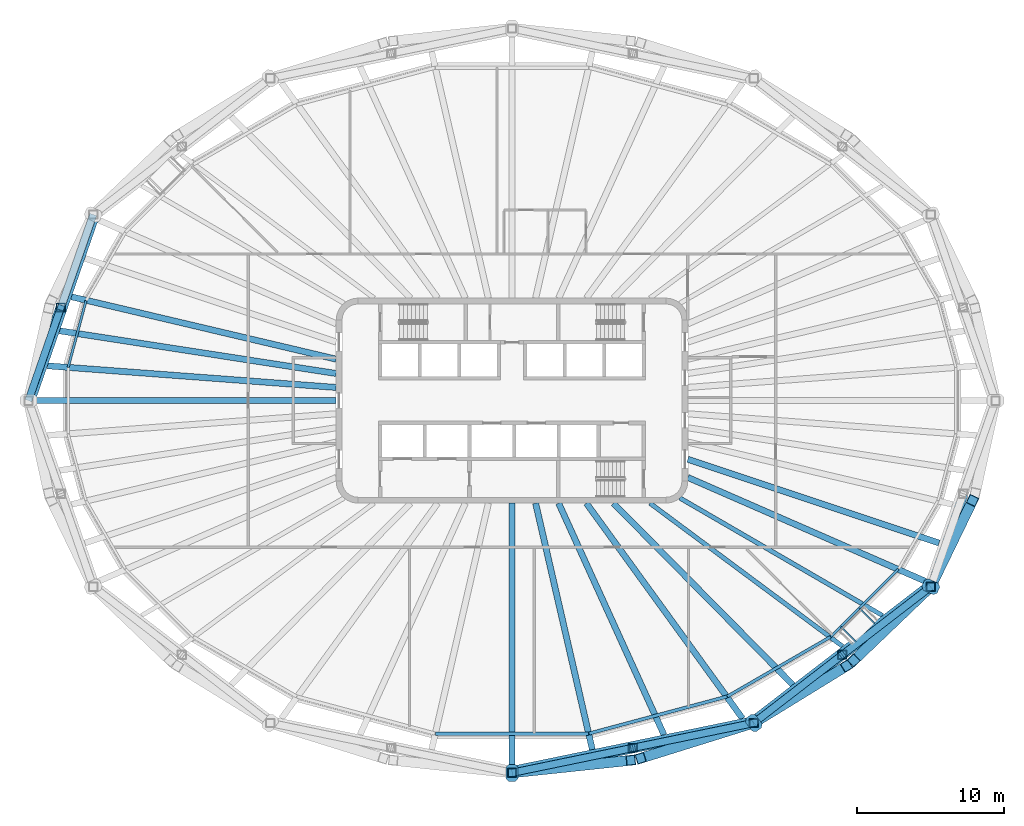
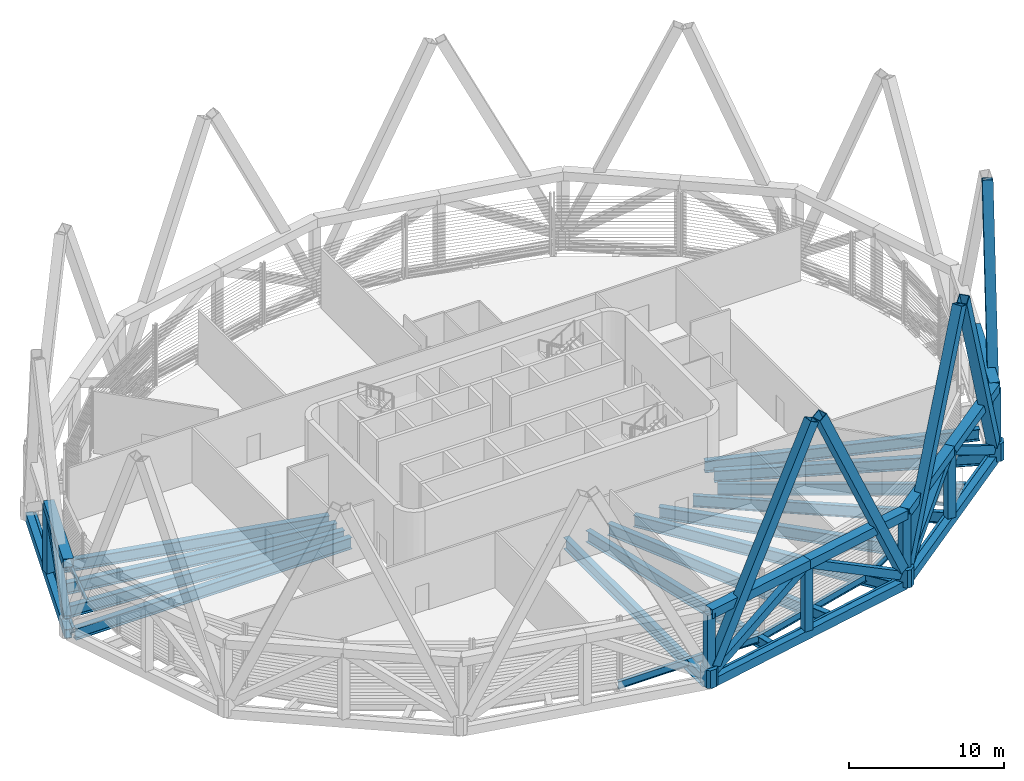
# One storey, part 2 of 17: 26 beams, 25 members.
"""IFC4 building model written with IfcOpenShell, lengths in metres."""

from ifc_helpers import new_model, si_unit, direction, frame, origin, origin_2d, place, context, subcontext, project, spatial, polyline, hollow_rectangle, i_section, outline, extrude, material, material_profile, profile_set, type_object, element, save


model = new_model("IFC4")

# Units and contexts
model_context = context("Model", 3, precision=1e-05, world=origin(), true_north=direction((0.0, 1.0)))
body_context = subcontext(model_context, "Body", "Model", "MODEL_VIEW")
ifc_project = project(units=[si_unit("LENGTHUNIT", "METRE"), si_unit("AREAUNIT", "SQUARE_METRE"), si_unit("VOLUMEUNIT", "CUBIC_METRE"), si_unit("PLANEANGLEUNIT", "RADIAN"), si_unit("MASSUNIT", "GRAM", prefix="KILO")], contexts=[model_context])

# Site, building, storey
site_placement = place(None, origin())
site = spatial("IfcSite", under=ifc_project, at=site_placement, CompositionType="ELEMENT")
building_placement = place(site_placement, origin())
building = spatial("IfcBuilding", under=site, at=building_placement, Name="Sahrelin Media Tower", CompositionType="ELEMENT")
storey_placement = place(building_placement, frame((0.0, 0.0, 249.60009765625)))
storey = spatial("IfcBuildingStorey", under=building, at=storey_placement, Name="L54", CompositionType="ELEMENT", Elevation=249.60009765625)

# Members
ifc_material_1 = material(Name="Steel S460", Category="steel")
ifc_material_profile_1 = material_profile(ifc_material_1, hollow_rectangle(XDim=0.699951171875, YDim=0.699951171875, WallThickness=0.044921875, at=origin_2d()), Name="Belt truss chord BC")
ifc_profile_set_1 = profile_set([ifc_material_profile_1], Name="Steel S460")
member_type_1 = type_object("IfcMemberType", Name="Belt truss chord BC", PredefinedType="CHORD", material=ifc_profile_set_1)
member_1_placement = place(storey_placement, frame((-30.789306640625, 6.35009765625, 4.89990234375), z_axis=(-0.328781145791, -0.944406140478, 0.0), x_axis=(0.944406140478, -0.328781145791, 0.0)))
element("IfcMember", 1, at=member_1_placement, inside=storey, type_object=member_type_1, Name="Belt truss member BT12-05-T2", PredefinedType="CHORD", context=body_context, shape_type="SweptSolid", body=[
    extrude(hollow_rectangle(XDim=0.699951171875, YDim=0.699951171875, WallThickness=0.044921875, at=origin_2d()), origin(), (0.0, 0.0, 1.0), 6.723876953125),
])
for number, where, z_axis, x_axis, name in (
    (2, (0.0, -25.39990234375, 4.89990234375), (0.979389305257, 0.201981654484, 0.0), (-0.201981654484, 0.979389305257, 0.0), "Belt truss member BT12-09-T1"),
    (3, (8.25, -23.698486328125, 4.89990234375), (0.979389305257, 0.201981654484, 0.0), (-0.201981654484, 0.979389305257, 0.0), "Belt truss member BT12-09-T2"),
):
    element("IfcMember", number, at=place(storey_placement, frame(where, z_axis=z_axis, x_axis=x_axis)), inside=storey, type_object=member_type_1, Name=name, PredefinedType="CHORD", context=body_context, shape_type="SweptSolid", body=[
        extrude(hollow_rectangle(XDim=0.699951171875, YDim=0.699951171875, WallThickness=0.044921875, at=origin_2d()), origin(), (0.0, 0.0, 1.0), 8.423583984375),
    ])
for number, where, z_axis, x_axis, name in (
    (4, (16.5, -21.9970703125, 4.89990234375), (0.792429838397, 0.609963073651, 0.0), (-0.609963073651, 0.792429838397, 0.0), "Belt truss member BT12-10-T1"),
    (5, (22.539306640625, -17.348388671875, 4.89990234375), (0.792457239739, 0.60992747371, 0.0), (-0.60992747371, 0.792457239739, 0.0), "Belt truss member BT12-10-T2"),
):
    element("IfcMember", number, at=place(storey_placement, frame(where, z_axis=z_axis, x_axis=x_axis)), inside=storey, type_object=member_type_1, Name=name, PredefinedType="CHORD", context=body_context, shape_type="SweptSolid", body=[
        extrude(hollow_rectangle(XDim=0.699951171875, YDim=0.699951171875, WallThickness=0.044921875, at=origin_2d()), origin(), (0.0, 0.0, 1.0), 7.621337890625),
    ])
member_2_placement = place(storey_placement, frame((28.578857421875, -12.699951171875, 4.89990234375), z_axis=(0.328760034477, 0.944413489808, 0.0), x_axis=(-0.944413489808, 0.328760034477, 0.0)))
element("IfcMember", 6, at=member_2_placement, inside=storey, type_object=member_type_1, Name="Belt truss member BT12-11-T1", PredefinedType="CHORD", context=body_context, shape_type="SweptSolid", body=[
    extrude(hollow_rectangle(XDim=0.699951171875, YDim=0.699951171875, WallThickness=0.044921875, at=origin_2d()), origin(), (0.0, 0.0, 1.0), 6.7236328125),
])
ifc_material_profile_2 = material_profile(ifc_material_1, hollow_rectangle(XDim=0.5, YDim=0.60009765625, WallThickness=0.030029296875, at=origin_2d()), Name="Belt truss diagonal BD")
ifc_profile_set_2 = profile_set([ifc_material_profile_2], Name="Steel S460")
member_type_2 = type_object("IfcMemberType", Name="Belt truss diagonal BD", PredefinedType="BRACE", material=ifc_profile_set_2)
member_3_placement = place(storey_placement, frame((-32.85205078125, 0.425048828125, 0.327880859375), z_axis=(0.265714094981, 0.763240072329, 0.588948734373), x_axis=(-0.944404888511, 0.328784741977, 0.0)))
element("IfcMember", 7, at=member_3_placement, inside=storey, type_object=member_type_2, Name="Belt truss member BT12-05-X2", PredefinedType="BRACE", context=body_context, shape_type="SweptSolid", body=[
    extrude(hollow_rectangle(XDim=0.5, YDim=0.60009765625, WallThickness=0.030029296875, at=origin_2d()), origin(), (0.0, 0.0, 1.0), 7.762939453125),
])
member_4_placement = place(storey_placement, frame((0.425048828125, -25.312255859375, 0.252197265625), z_axis=(0.846570292379, 0.174591420942, 0.502828574959), x_axis=(-0.201983129901, 0.979389000977, 0.0)))
element("IfcMember", 8, at=member_4_placement, inside=storey, type_object=member_type_2, Name="Belt truss member BT12-09-X1", PredefinedType="BRACE", context=body_context, shape_type="SweptSolid", body=[
    extrude(hollow_rectangle(XDim=0.5, YDim=0.60009765625, WallThickness=0.030029296875, at=origin_2d()), origin(), (0.0, 0.0, 1.0), 9.2431640625),
])
member_5_placement = place(storey_placement, frame((16.039794921875, -22.091796875, 0.273193359375), z_axis=(-0.846572862427, -0.174610461893, 0.502817636126), x_axis=(0.202003671134, -0.979384764456, 0.0)))
element("IfcMember", 9, at=member_5_placement, inside=storey, type_object=member_type_2, Name="Belt truss member BT12-09-X2", PredefinedType="BRACE", context=body_context, shape_type="SweptSolid", body=[
    extrude(hollow_rectangle(XDim=0.5, YDim=0.60009765625, WallThickness=0.030029296875, at=origin_2d()), origin(), (0.0, 0.0, 1.0), 9.20166015625),
])
member_6_placement = place(storey_placement, frame((16.8369140625, -21.73779296875, 0.273193359375), z_axis=(0.666545033767, 0.513071591476, 0.54080981868), x_axis=(-0.609968142805, 0.792425936453, 0.0)))
element("IfcMember", 10, at=member_6_placement, inside=storey, type_object=member_type_2, Name="Belt truss member BT12-10-X1", PredefinedType="BRACE", context=body_context, shape_type="SweptSolid", body=[
    extrude(hollow_rectangle(XDim=0.5, YDim=0.60009765625, WallThickness=0.030029296875, at=origin_2d()), origin(), (0.0, 0.0, 1.0), 8.55517578125),
])
member_7_placement = place(storey_placement, frame((28.19580078125, -12.994873046875, 0.310791015625), z_axis=(-0.666582719866, -0.513034790481, 0.540798281554), x_axis=(0.609919013166, -0.79246375146, 0.0)))
element("IfcMember", 11, at=member_7_placement, inside=storey, type_object=member_type_2, Name="Belt truss member BT12-10-X2", PredefinedType="BRACE", context=body_context, shape_type="SweptSolid", body=[
    extrude(hollow_rectangle(XDim=0.5, YDim=0.60009765625, WallThickness=0.030029296875, at=origin_2d()), origin(), (0.0, 0.0, 1.0), 8.48583984375),
])
ifc_material_profile_3 = material_profile(ifc_material_1, hollow_rectangle(XDim=0.60009765625, YDim=0.60009765625, WallThickness=0.034912109375, at=origin_2d()), Name="Belt truss post BP")
ifc_profile_set_3 = profile_set([ifc_material_profile_3], Name="Steel S460")
member_type_3 = type_object("IfcMemberType", Name="Belt truss post BP", PredefinedType="POST", material=ifc_profile_set_3)
member_8_placement = place(storey_placement, frame((-30.789306640625, 6.35009765625, -0.320068359375), z_axis=(0.0, 0.0, 1.0), x_axis=(1.0, 0.0, 0.0)))
element("IfcMember", 12, at=member_8_placement, inside=storey, type_object=member_type_3, Name="Belt truss member BT12-05-P1", PredefinedType="POST", context=body_context, shape_type="SweptSolid", body=[
    extrude(hollow_rectangle(XDim=0.60009765625, YDim=0.60009765625, WallThickness=0.034912109375, at=origin_2d()), origin(), (0.0, 0.0, 1.0), 5.219970703125),
])
member_9_placement = place(storey_placement, frame((0.0, -25.39990234375, 0.699951171875), z_axis=(0.0, 0.0, 1.0), x_axis=(1.0, 0.0, 0.0)))
element("IfcMember", 13, at=member_9_placement, inside=storey, type_object=member_type_3, Name="Belt truss member BT12-09-P0", PredefinedType="POST", context=body_context, shape_type="SweptSolid", body=[
    extrude(hollow_rectangle(XDim=0.60009765625, YDim=0.60009765625, WallThickness=0.034912109375, at=origin_2d()), origin(), (0.0, 0.0, 1.0), 4.199951171875),
])
member_10_placement = place(storey_placement, frame((8.25, -23.698486328125, -0.320068359375), z_axis=(0.0, 0.0, 1.0), x_axis=(1.0, 0.0, 0.0)))
element("IfcMember", 14, at=member_10_placement, inside=storey, type_object=member_type_3, Name="Belt truss member BT12-09-P1", PredefinedType="POST", context=body_context, shape_type="SweptSolid", body=[
    extrude(hollow_rectangle(XDim=0.60009765625, YDim=0.60009765625, WallThickness=0.034912109375, at=origin_2d()), origin(), (0.0, 0.0, 1.0), 5.219970703125),
])
member_11_placement = place(storey_placement, frame((16.5, -21.9970703125, 0.699951171875), z_axis=(0.0, 0.0, 1.0), x_axis=(1.0, 0.0, 0.0)))
element("IfcMember", 15, at=member_11_placement, inside=storey, type_object=member_type_3, Name="Belt truss member BT12-10-P0", PredefinedType="POST", context=body_context, shape_type="SweptSolid", body=[
    extrude(hollow_rectangle(XDim=0.60009765625, YDim=0.60009765625, WallThickness=0.034912109375, at=origin_2d()), origin(), (0.0, 0.0, 1.0), 4.199951171875),
])
member_12_placement = place(storey_placement, frame((22.539306640625, -17.348388671875, -0.320068359375), z_axis=(0.0, 0.0, 1.0), x_axis=(1.0, 0.0, 0.0)))
element("IfcMember", 16, at=member_12_placement, inside=storey, type_object=member_type_3, Name="Belt truss member BT12-10-P1", PredefinedType="POST", context=body_context, shape_type="SweptSolid", body=[
    extrude(hollow_rectangle(XDim=0.60009765625, YDim=0.60009765625, WallThickness=0.034912109375, at=origin_2d()), origin(), (0.0, 0.0, 1.0), 5.219970703125),
])
member_13_placement = place(storey_placement, frame((28.578857421875, -12.699951171875, 0.699951171875), z_axis=(0.0, 0.0, 1.0), x_axis=(1.0, 0.0, 0.0)))
element("IfcMember", 17, at=member_13_placement, inside=storey, type_object=member_type_3, Name="Belt truss member BT12-11-P0", PredefinedType="POST", context=body_context, shape_type="SweptSolid", body=[
    extrude(hollow_rectangle(XDim=0.60009765625, YDim=0.60009765625, WallThickness=0.034912109375, at=origin_2d()), origin(), (0.0, 0.0, 1.0), 4.199951171875),
])
ifc_material_profile_4 = material_profile(ifc_material_1, hollow_rectangle(XDim=0.699951171875, YDim=0.699951171875, WallThickness=0.0400390625, at=origin_2d()), Name="Diagrid diagonal DG7")
ifc_profile_set_4 = profile_set([ifc_material_profile_4], Name="Steel S460")
member_type_4 = type_object("IfcMemberType", Name="Diagrid diagonal DG7", PredefinedType="BRACE", material=ifc_profile_set_4)
member_14_placement = place(storey_placement, frame((0.340087890625, -25.364013671875, 0.699951171875), z_axis=(0.436551406628, 0.046175024732, 0.898493592889), x_axis=(-0.105185491563, 0.994452619467, 0.0)))
element("IfcMember", 18, at=member_14_placement, inside=storey, type_object=member_type_4, Name="Diagrid diagonal D12-18", PredefinedType="BRACE", context=body_context, shape_type="SweptSolid", body=[
    extrude(hollow_rectangle(XDim=0.699951171875, YDim=0.699951171875, WallThickness=0.0400390625, at=origin_2d()), origin(), (0.0, 0.0, 1.0), 17.8076171875),
])
member_15_placement = place(storey_placement, frame((16.17626953125, -22.097900390625, 0.699951171875), z_axis=(-0.416167398768, -0.129759635405, 0.899981740494), x_axis=(0.297663275597, -0.954670924644, 0.0)))
element("IfcMember", 19, at=member_15_placement, inside=storey, type_object=member_type_4, Name="Diagrid diagonal D12-19", PredefinedType="BRACE", context=body_context, shape_type="SweptSolid", body=[
    extrude(hollow_rectangle(XDim=0.699951171875, YDim=0.699951171875, WallThickness=0.0400390625, at=origin_2d()), origin(), (0.0, 0.0, 1.0), 17.778076171875),
])
member_16_placement = place(storey_placement, frame((16.765380859375, -21.833740234375, 0.699951171875), z_axis=(0.346360805513, 0.213035733311, 0.913591795463), x_axis=(-0.523902311709, 0.851778356021, 0.0)))
element("IfcMember", 20, at=member_16_placement, inside=storey, type_object=member_type_4, Name="Diagrid diagonal D12-20", PredefinedType="BRACE", context=body_context, shape_type="SweptSolid", body=[
    extrude(hollow_rectangle(XDim=0.699951171875, YDim=0.699951171875, WallThickness=0.0400390625, at=origin_2d()), origin(), (0.0, 0.0, 1.0), 17.51318359375),
])
member_17_placement = place(storey_placement, frame((28.3583984375, -12.910888671875, 0.699951171875), z_axis=(-0.288838753904, -0.276039709891, 0.916719287899), x_axis=(0.690907792114, -0.722942890411, 0.0)))
element("IfcMember", 21, at=member_17_placement, inside=storey, type_object=member_type_4, Name="Diagrid diagonal D12-21", PredefinedType="BRACE", context=body_context, shape_type="SweptSolid", body=[
    extrude(hollow_rectangle(XDim=0.699951171875, YDim=0.699951171875, WallThickness=0.0400390625, at=origin_2d()), origin(), (0.0, 0.0, 1.0), 17.45361328125),
])
member_18_placement = place(storey_placement, frame((28.698486328125, -12.453125, 0.699951171875), z_axis=(0.159013041273, 0.328227240841, 0.931118537607), x_axis=(-0.899951232615, 0.435990572047, 0.0)))
element("IfcMember", 22, at=member_18_placement, inside=storey, type_object=member_type_4, Name="Diagrid diagonal D12-22", PredefinedType="BRACE", context=body_context, shape_type="SweptSolid", body=[
    extrude(hollow_rectangle(XDim=0.699951171875, YDim=0.699951171875, WallThickness=0.0400390625, at=origin_2d()), origin(), (0.0, 0.0, 1.0), 17.18359375),
])
ifc_material_profile_5 = material_profile(ifc_material_1, outline(polyline([(0.375, -0.425048828125), (0.574951171875, -0.22509765625), (0.574951171875, 0.22509765625), (0.375, 0.425048828125), (-0.375, 0.425048828125), (-0.574951171875, 0.22509765625), (-0.574951171875, -0.22509765625), (-0.375, -0.425048828125), (0.375, -0.425048828125)])), Name="Diagrid node block 1150")
ifc_profile_set_5 = profile_set([ifc_material_profile_5], Name="Steel S460")
member_type_5 = type_object("IfcMemberType", Name="Diagrid node block 1150", PredefinedType="USERDEFINED", material=ifc_profile_set_5)
for number, where, z_axis, x_axis, name in (
    (23, (0.0, -25.39990234375, -0.7001953125), (0.0, 0.0, 1.0), (0.0, -1.0, 0.0), "Diagrid node N12-09"),
    (24, (16.5, -21.9970703125, -0.7001953125), (0.0, 0.0, 1.0), (0.600051693363, -0.799961227368, 0.0), "Diagrid node N12-10"),
    (25, (28.578857421875, -12.699951171875, -0.7001953125), (0.0, 0.0, 1.0), (0.913831317054, -0.40609398416, 0.0), "Diagrid node N12-11"),
):
    element("IfcMember", number, at=place(storey_placement, frame(where, z_axis=z_axis, x_axis=x_axis)), inside=storey, type_object=member_type_5, Name=name, ObjectType="NODE", PredefinedType="USERDEFINED", context=body_context, shape_type="SweptSolid", body=[
        extrude(outline(polyline([(0.375, -0.425048828125), (0.574951171875, -0.22509765625), (0.574951171875, 0.22509765625), (0.375, 0.425048828125), (-0.375, 0.425048828125), (-0.574951171875, 0.22509765625), (-0.574951171875, -0.22509765625), (-0.375, -0.425048828125), (0.375, -0.425048828125)])), origin(), (0.0, 0.0, 1.0), 1.400146484375),
    ])

# Beams
ifc_material_profile_6 = material_profile(ifc_material_1, hollow_rectangle(XDim=0.5, YDim=0.699951171875, WallThickness=0.034912109375, at=origin_2d()), Name="Diagrid ring beam RB2")
ifc_profile_set_6 = profile_set([ifc_material_profile_6], Name="Steel S460")
beam_type_1 = type_object("IfcBeamType", Name="Diagrid ring beam RB2", PredefinedType="BEAM", material=ifc_profile_set_6)
beam_1_placement = place(storey_placement, frame((-28.578857421875, 12.699951171875, -0.650146484375), z_axis=(-0.328770590399, -0.944409815117, 0.0), x_axis=(0.944409815117, -0.328770590399, 0.0)))
element("IfcBeam", 26, at=beam_1_placement, inside=storey, type_object=beam_type_1, Name="Diagrid ring beam RB12-05", PredefinedType="BEAM", context=body_context, shape_type="SweptSolid", body=[
    extrude(hollow_rectangle(XDim=0.5, YDim=0.699951171875, WallThickness=0.034912109375, at=origin_2d()), origin(), (0.0, 0.0, 1.0), 13.447509765625),
])
beam_2_placement = place(storey_placement, frame((0.0, -25.39990234375, -0.650146484375), z_axis=(0.979389305257, 0.201981654484, 0.0), x_axis=(-0.201981654484, 0.979389305257, 0.0)))
element("IfcBeam", 27, at=beam_2_placement, inside=storey, type_object=beam_type_1, Name="Diagrid ring beam RB12-09", PredefinedType="BEAM", context=body_context, shape_type="SweptSolid", body=[
    extrude(hollow_rectangle(XDim=0.5, YDim=0.699951171875, WallThickness=0.034912109375, at=origin_2d()), origin(), (0.0, 0.0, 1.0), 16.84716796875),
])
beam_3_placement = place(storey_placement, frame((16.5, -21.9970703125, -0.650146484375), z_axis=(0.792443539308, 0.609945273782, 0.0), x_axis=(-0.609945273782, 0.792443539308, 0.0)))
element("IfcBeam", 28, at=beam_3_placement, inside=storey, type_object=beam_type_1, Name="Diagrid ring beam RB12-10", PredefinedType="BEAM", context=body_context, shape_type="SweptSolid", body=[
    extrude(hollow_rectangle(XDim=0.5, YDim=0.699951171875, WallThickness=0.034912109375, at=origin_2d()), origin(), (0.0, 0.0, 1.0), 15.242431640625),
])
ifc_material_2 = material(Name="Steel S355", Category="steel")
ifc_material_profile_7 = material_profile(ifc_material_2, i_section(OverallWidth=0.1650390625, OverallDepth=0.303466796875, WebThickness=0.006103515625, FlangeThickness=0.01025390625, FilletRadius=0.0087890625, at=origin_2d()), Name="UB 305x165x40")
ifc_profile_set_7 = profile_set([ifc_material_profile_7], Name="Steel S355")
beam_type_2 = type_object("IfcBeamType", Name="Edge beam EB2", PredefinedType="BEAM", material=ifc_profile_set_7)
beam_4_placement = place(storey_placement, frame((-30.288818359375, 2.273681640625, -0.451904296875), z_axis=(0.258823527778, 0.965924625149, 0.0), x_axis=(-0.965924625149, 0.258823527778, 0.0)))
element("IfcBeam", 29, at=beam_4_placement, inside=storey, type_object=beam_type_2, Name="Edge beam L54-14", PredefinedType="BEAM", context=body_context, shape_type="SweptSolid", body=[
    extrude(i_section(OverallWidth=0.1650390625, OverallDepth=0.303466796875, WebThickness=0.006103515625, FlangeThickness=0.01025390625, FilletRadius=0.0087890625, at=origin_2d()), origin(), (0.0, 0.0, 1.0), 4.698486328125),
])
ifc_material_profile_8 = material_profile(ifc_material_2, i_section(OverallWidth=0.177978515625, OverallDepth=0.406494140625, WebThickness=0.0078125, FlangeThickness=0.0126953125, FilletRadius=0.01025390625, at=origin_2d()), Name="UB 406x178x60")
ifc_profile_set_8 = profile_set([ifc_material_profile_8], Name="Steel S355")
beam_type_3 = type_object("IfcBeamType", Name="Edge beam EB4", PredefinedType="BEAM", material=ifc_profile_set_8)
beam_5_placement = place(storey_placement, frame((26.367431640625, -11.497802734375, -0.50341796875), z_axis=(-0.707106781187, -0.707106781187, 0.0), x_axis=(0.707106781187, -0.707106781187, 0.0)))
element("IfcBeam", 30, at=beam_5_placement, inside=storey, type_object=beam_type_3, Name="Edge beam L54-04", PredefinedType="BEAM", context=body_context, shape_type="SweptSolid", body=[
    extrude(i_section(OverallWidth=0.177978515625, OverallDepth=0.406494140625, WebThickness=0.0078125, FlangeThickness=0.0126953125, FilletRadius=0.01025390625, at=origin_2d()), origin(), (0.0, 0.0, 1.0), 6.513916015625),
])
ifc_material_profile_9 = material_profile(ifc_material_2, i_section(OverallWidth=0.208740234375, OverallDepth=0.5283203125, WebThickness=0.009521484375, FlangeThickness=0.01318359375, FilletRadius=0.0126953125, at=origin_2d()), Name="UB 533x210x82")
ifc_profile_set_9 = profile_set([ifc_material_profile_9], Name="Steel S355")
beam_type_4 = type_object("IfcBeamType", Name="Edge beam EB6", PredefinedType="BEAM", material=ifc_profile_set_9)
beam_6_placement = place(storey_placement, frame((21.738525390625, -16.121337890625, -0.564208984375), z_axis=(-0.866020013879, -0.500009335473, 0.0), x_axis=(0.500009335473, -0.866020013879, 0.0)))
element("IfcBeam", 31, at=beam_6_placement, inside=storey, type_object=beam_type_4, Name="Edge beam L54-05", PredefinedType="BEAM", context=body_context, shape_type="SweptSolid", body=[
    extrude(i_section(OverallWidth=0.208740234375, OverallDepth=0.5283203125, WebThickness=0.009521484375, FlangeThickness=0.01318359375, FilletRadius=0.0126953125, at=origin_2d()), origin(), (0.0, 0.0, 1.0), 8.127685546875),
])
ifc_material_profile_10 = material_profile(ifc_material_2, i_section(OverallWidth=0.2275390625, OverallDepth=0.6025390625, WebThickness=0.010498046875, FlangeThickness=0.014892578125, FilletRadius=0.0126953125, at=origin_2d()), Name="UB 610x229x101")
ifc_profile_set_10 = profile_set([ifc_material_profile_10], Name="Steel S355")
beam_type_5 = type_object("IfcBeamType", Name="Edge beam EB7", PredefinedType="BEAM", material=ifc_profile_set_10)
beam_7_placement = place(storey_placement, frame((14.673095703125, -20.1962890625, -0.601318359375), z_axis=(-0.965929040414, -0.258807049527, 0.0), x_axis=(0.258807049527, -0.965929040414, 0.0)))
element("IfcBeam", 32, at=beam_7_placement, inside=storey, type_object=beam_type_5, Name="Edge beam L54-06", PredefinedType="BEAM", context=body_context, shape_type="SweptSolid", body=[
    extrude(i_section(OverallWidth=0.2275390625, OverallDepth=0.6025390625, WebThickness=0.010498046875, FlangeThickness=0.014892578125, FilletRadius=0.0126953125, at=origin_2d()), origin(), (0.0, 0.0, 1.0), 9.74462890625),
])
beam_8_placement = place(storey_placement, frame((5.231689453125, -22.72216796875, -0.601318359375), z_axis=(-1.0, 0.0, 0.0), x_axis=(0.0, -1.0, 0.0)))
element("IfcBeam", 33, at=beam_8_placement, inside=storey, type_object=beam_type_5, Name="Edge beam L54-07", PredefinedType="BEAM", context=body_context, shape_type="SweptSolid", body=[
    extrude(i_section(OverallWidth=0.2275390625, OverallDepth=0.6025390625, WebThickness=0.010498046875, FlangeThickness=0.014892578125, FilletRadius=0.0126953125, at=origin_2d()), origin(), (0.0, 0.0, 1.0), 10.46337890625),
])
ifc_material_profile_11 = material_profile(ifc_material_2, hollow_rectangle(XDim=0.10009765625, YDim=0.199951171875, WallThickness=0.008056640625, at=origin_2d()), Name="RHS 200x100x8")
ifc_profile_set_11 = profile_set([ifc_material_profile_11], Name="Steel S355")
beam_type_6 = type_object("IfcBeamType", Name="Platform support beam", PredefinedType="BEAM", material=ifc_profile_set_11)
for number, where, z_axis, x_axis, name in (
    (34, (22.44091796875, -15.429931640625, -0.400146484375), (0.707106781187, -0.707106781187, 0.0), (0.707106781187, 0.707106781187, 0.0), "Platform support beam L54-21"),
    (35, (23.713623046875, -14.1572265625, -0.400146484375), (0.707106781187, -0.707106781187, 0.0), (0.707106781187, 0.707106781187, 0.0), "Platform support beam L54-21"),
):
    element("IfcBeam", number, at=place(storey_placement, frame(where, z_axis=z_axis, x_axis=x_axis)), inside=storey, type_object=beam_type_6, Name=name, PredefinedType="BEAM", context=body_context, shape_type="SweptSolid", body=[
        extrude(hollow_rectangle(XDim=0.10009765625, YDim=0.199951171875, WallThickness=0.008056640625, at=origin_2d()), origin(), (0.0, 0.0, 1.0), 1.4609375),
    ])
ifc_material_profile_12 = material_profile(ifc_material_2, i_section(OverallWidth=0.30322265625, OverallDepth=0.903076171875, WebThickness=0.01513671875, FlangeThickness=0.020263671875, FilletRadius=0.01904296875, at=origin_2d()), Name="UB 914x305x201")
ifc_profile_set_12 = profile_set([ifc_material_profile_12], Name="Steel S355")
beam_type_7 = type_object("IfcBeamType", Name="Radial primary beam PB11", PredefinedType="BEAM", material=ifc_profile_set_12)
beam_9_placement = place(storey_placement, frame((9.418701171875, -7.0, -0.751708984375), z_axis=(0.802609662198, -0.596504593567, 0.0), x_axis=(0.596504593567, 0.802609662198, 0.0)))
element("IfcBeam", 36, at=beam_9_placement, inside=storey, type_object=beam_type_7, Name="Radial beam L54-21", PredefinedType="BEAM", context=body_context, shape_type="SweptSolid", body=[
    extrude(i_section(OverallWidth=0.30322265625, OverallDepth=0.903076171875, WebThickness=0.01513671875, FlangeThickness=0.020263671875, FilletRadius=0.01904296875, at=origin_2d()), origin(), (0.0, 0.0, 1.0), 16.376220703125),
])
ifc_material_profile_13 = material_profile(ifc_material_2, i_section(OverallWidth=0.41845703125, OverallDepth=0.911865234375, WebThickness=0.019287109375, FlangeThickness=0.031982421875, FilletRadius=0.024169921875, at=origin_2d()), Name="UB 914x419x343")
ifc_profile_set_13 = profile_set([ifc_material_profile_13], Name="Steel S355")
beam_type_8 = type_object("IfcBeamType", Name="Radial primary beam PB12", PredefinedType="BEAM", material=ifc_profile_set_13)
beam_10_placement = place(storey_placement, frame((-12.0, 2.828125, -0.756103515625), z_axis=(-0.973330655531, 0.229406702177, 0.0), x_axis=(-0.229406702177, -0.973330655531, 0.0)))
element("IfcBeam", 37, at=beam_10_placement, inside=storey, type_object=beam_type_8, Name="Radial beam L54-11", PredefinedType="BEAM", context=body_context, shape_type="SweptSolid", body=[
    extrude(i_section(OverallWidth=0.41845703125, OverallDepth=0.911865234375, WebThickness=0.019287109375, FlangeThickness=0.031982421875, FilletRadius=0.024169921875, at=origin_2d()), origin(), (0.0, 0.0, 1.0), 18.556884765625),
])
beam_11_placement = place(storey_placement, frame((-12.0, 0.8984375, -0.756103515625), z_axis=(-0.99720798925, 0.074674133249, 0.0), x_axis=(-0.074674133249, -0.99720798925, 0.0)))
element("IfcBeam", 38, at=beam_11_placement, inside=storey, type_object=beam_type_8, Name="Radial beam L54-12", PredefinedType="BEAM", context=body_context, shape_type="SweptSolid", body=[
    extrude(i_section(OverallWidth=0.41845703125, OverallDepth=0.911865234375, WebThickness=0.019287109375, FlangeThickness=0.031982421875, FilletRadius=0.024169921875, at=origin_2d()), origin(), (0.0, 0.0, 1.0), 19.757080078125),
])
beam_12_placement = place(storey_placement, frame((1.61181640625, -7.0, -0.756103515625), z_axis=(0.224368617712, -0.974504347546, 0.0), x_axis=(0.974504347546, 0.224368617712, 0.0)))
element("IfcBeam", 39, at=beam_12_placement, inside=storey, type_object=beam_type_8, Name="Radial beam L54-19", PredefinedType="BEAM", context=body_context, shape_type="SweptSolid", body=[
    extrude(i_section(OverallWidth=0.41845703125, OverallDepth=0.911865234375, WebThickness=0.019287109375, FlangeThickness=0.031982421875, FilletRadius=0.024169921875, at=origin_2d()), origin(), (0.0, 0.0, 1.0), 17.25439453125),
])
beam_13_placement = place(storey_placement, frame((5.076416015625, -7.0, -0.756103515625), z_axis=(0.58707992954, -0.809528971891, 0.0), x_axis=(0.809528971891, 0.58707992954, 0.0)))
element("IfcBeam", 40, at=beam_13_placement, inside=storey, type_object=beam_type_8, Name="Radial beam L54-20", PredefinedType="BEAM", context=body_context, shape_type="SweptSolid", body=[
    extrude(i_section(OverallWidth=0.41845703125, OverallDepth=0.911865234375, WebThickness=0.019287109375, FlangeThickness=0.031982421875, FilletRadius=0.024169921875, at=origin_2d()), origin(), (0.0, 0.0, 1.0), 18.158447265625),
])
beam_14_placement = place(storey_placement, frame((12.0, -5.243896484375, -0.756103515625), z_axis=(0.916323308001, -0.40043925284, 0.0), x_axis=(0.40043925284, 0.916323308001, 0.0)))
element("IfcBeam", 41, at=beam_14_placement, inside=storey, type_object=beam_type_8, Name="Radial beam L54-22", PredefinedType="BEAM", context=body_context, shape_type="SweptSolid", body=[
    extrude(i_section(OverallWidth=0.41845703125, OverallDepth=0.911865234375, WebThickness=0.019287109375, FlangeThickness=0.031982421875, FilletRadius=0.024169921875, at=origin_2d()), origin(), (0.0, 0.0, 1.0), 17.715576171875),
])
ifc_material_profile_14 = material_profile(ifc_material_2, i_section(OverallWidth=0.30322265625, OverallDepth=0.903076171875, WebThickness=0.01513671875, FlangeThickness=0.020263671875, FilletRadius=0.01904296875, at=origin_2d()), Name="UB 914x305x201")
ifc_profile_set_14 = profile_set([ifc_material_profile_14], Name="Steel S355")
beam_type_9 = type_object("IfcBeamType", Name="Radial secondary beam SB11", PredefinedType="BEAM", material=ifc_profile_set_14)
beam_15_placement = place(storey_placement, frame((11.45361328125, -6.642822265625, -0.751708984375), z_axis=(0.865043244327, -0.501697304602, 0.0), x_axis=(0.501697304602, 0.865043244327, 0.0)))
element("IfcBeam", 42, at=beam_15_placement, inside=storey, type_object=beam_type_9, Name="Secondary beam L54-21", PredefinedType="BEAM", context=body_context, shape_type="SweptSolid", body=[
    extrude(i_section(OverallWidth=0.30322265625, OverallDepth=0.903076171875, WebThickness=0.01513671875, FlangeThickness=0.020263671875, FilletRadius=0.01904296875, at=origin_2d()), origin(), (0.0, 0.0, 1.0), 15.99658203125),
])
ifc_material_profile_15 = material_profile(ifc_material_2, i_section(OverallWidth=0.41845703125, OverallDepth=0.911865234375, WebThickness=0.019287109375, FlangeThickness=0.031982421875, FilletRadius=0.024169921875, at=origin_2d()), Name="UB 914x419x343")
ifc_profile_set_15 = profile_set([ifc_material_profile_15], Name="Steel S355")
beam_type_10 = type_object("IfcBeamType", Name="Radial secondary beam SB12", PredefinedType="BEAM", material=ifc_profile_set_15)
beam_16_placement = place(storey_placement, frame((-12.0, 1.851806640625, -0.756103515625), z_axis=(-0.988304490037, 0.152493393212, 0.0), x_axis=(-0.152493393212, -0.988304490037, 0.0)))
element("IfcBeam", 43, at=beam_16_placement, inside=storey, type_object=beam_type_10, Name="Secondary beam L54-11", PredefinedType="BEAM", context=body_context, shape_type="SweptSolid", body=[
    extrude(i_section(OverallWidth=0.41845703125, OverallDepth=0.911865234375, WebThickness=0.019287109375, FlangeThickness=0.031982421875, FilletRadius=0.024169921875, at=origin_2d()), origin(), (0.0, 0.0, 1.0), 19.093505859375),
])
beam_17_placement = place(storey_placement, frame((-12.0, 0.0, -0.756103515625), z_axis=(-1.0, 0.0, 0.0), x_axis=(0.0, -1.0, 0.0)))
element("IfcBeam", 44, at=beam_17_placement, inside=storey, type_object=beam_type_10, Name="Secondary beam L54-12", PredefinedType="BEAM", context=body_context, shape_type="SweptSolid", body=[
    extrude(i_section(OverallWidth=0.41845703125, OverallDepth=0.911865234375, WebThickness=0.019287109375, FlangeThickness=0.031982421875, FilletRadius=0.024169921875, at=origin_2d()), origin(), (0.0, 0.0, 1.0), 20.5283203125),
])
beam_18_placement = place(storey_placement, frame((0.0, -7.0, -0.756103515625), z_axis=(0.0, -1.0, 0.0), x_axis=(1.0, 0.0, 0.0)))
element("IfcBeam", 45, at=beam_18_placement, inside=storey, type_object=beam_type_10, Name="Secondary beam L54-18", PredefinedType="BEAM", context=body_context, shape_type="SweptSolid", body=[
    extrude(i_section(OverallWidth=0.41845703125, OverallDepth=0.911865234375, WebThickness=0.019287109375, FlangeThickness=0.031982421875, FilletRadius=0.024169921875, at=origin_2d()), origin(), (0.0, 0.0, 1.0), 17.9453125),
])
beam_19_placement = place(storey_placement, frame((3.183837890625, -7.0, -0.756103515625), z_axis=(0.414027507963, -0.910264369648, 0.0), x_axis=(0.910264369648, 0.414027507963, 0.0)))
element("IfcBeam", 46, at=beam_19_placement, inside=storey, type_object=beam_type_10, Name="Secondary beam L54-19", PredefinedType="BEAM", context=body_context, shape_type="SweptSolid", body=[
    extrude(i_section(OverallWidth=0.41845703125, OverallDepth=0.911865234375, WebThickness=0.019287109375, FlangeThickness=0.031982421875, FilletRadius=0.024169921875, at=origin_2d()), origin(), (0.0, 0.0, 1.0), 17.364013671875),
])
beam_20_placement = place(storey_placement, frame((6.918701171875, -7.0, -0.756103515625), z_axis=(0.70295221278, -0.711237081815, 0.0), x_axis=(0.711237081815, 0.70295221278, 0.0)))
element("IfcBeam", 47, at=beam_20_placement, inside=storey, type_object=beam_type_10, Name="Secondary beam L54-20", PredefinedType="BEAM", context=body_context, shape_type="SweptSolid", body=[
    extrude(i_section(OverallWidth=0.41845703125, OverallDepth=0.911865234375, WebThickness=0.019287109375, FlangeThickness=0.031982421875, FilletRadius=0.024169921875, at=origin_2d()), origin(), (0.0, 0.0, 1.0), 17.415771484375),
])
beam_21_placement = place(storey_placement, frame((12.0, -3.999755859375, -0.756103515625), z_axis=(0.948694103899, -0.316195346624, 0.0), x_axis=(0.316195346624, 0.948694103899, 0.0)))
element("IfcBeam", 48, at=beam_21_placement, inside=storey, type_object=beam_type_10, Name="Secondary beam L54-22", PredefinedType="BEAM", context=body_context, shape_type="SweptSolid", body=[
    extrude(i_section(OverallWidth=0.41845703125, OverallDepth=0.911865234375, WebThickness=0.019287109375, FlangeThickness=0.031982421875, FilletRadius=0.024169921875, at=origin_2d()), origin(), (0.0, 0.0, 1.0), 18.07373046875),
])
ifc_material_profile_16 = material_profile(ifc_material_2, i_section(OverallWidth=0.1904296875, OverallDepth=0.45703125, WebThickness=0.009033203125, FlangeThickness=0.014404296875, FilletRadius=0.01025390625, at=origin_2d()), Name="UB 457x191x74")
ifc_profile_set_16 = profile_set([ifc_material_profile_16], Name="Steel S355")
beam_type_11 = type_object("IfcBeamType", Name="Tie chord TC5", PredefinedType="BEAM", material=ifc_profile_set_16)
beam_22_placement = place(storey_placement, frame((28.282470703125, -12.486083984375, -0.528564453125), z_axis=(-0.792438909029, -0.609951289413, 0.0), x_axis=(0.609951289413, -0.792438909029, 0.0)))
element("IfcBeam", 49, at=beam_22_placement, inside=storey, type_object=beam_type_11, Name="Tie chord L54-02", PredefinedType="BEAM", context=body_context, shape_type="SweptSolid", body=[
    extrude(i_section(OverallWidth=0.1904296875, OverallDepth=0.45703125, WebThickness=0.009033203125, FlangeThickness=0.014404296875, FilletRadius=0.01025390625, at=origin_2d()), origin(), (0.0, 0.0, 1.0), 15.057373046875),
])
beam_23_placement = place(storey_placement, frame((16.350341796875, -21.67041015625, -0.528564453125), z_axis=(-0.979388089158, -0.201987551141, 0.0), x_axis=(0.201987551141, -0.979388089158, 0.0)))
element("IfcBeam", 50, at=beam_23_placement, inside=storey, type_object=beam_type_11, Name="Tie chord L54-03", PredefinedType="BEAM", context=body_context, shape_type="SweptSolid", body=[
    extrude(i_section(OverallWidth=0.1904296875, OverallDepth=0.45703125, WebThickness=0.009033203125, FlangeThickness=0.014404296875, FilletRadius=0.01025390625, at=origin_2d()), origin(), (0.0, 0.0, 1.0), 16.6943359375),
])
beam_24_placement = place(storey_placement, frame((-32.629150390625, 0.0, -0.528564453125), z_axis=(0.328769858698, 0.944410069838, 0.0), x_axis=(-0.944410069838, 0.328769858698, 0.0)))
element("IfcBeam", 51, at=beam_24_placement, inside=storey, type_object=beam_type_11, Name="Tie chord L54-07", PredefinedType="BEAM", context=body_context, shape_type="SweptSolid", body=[
    extrude(i_section(OverallWidth=0.1904296875, OverallDepth=0.45703125, WebThickness=0.009033203125, FlangeThickness=0.014404296875, FilletRadius=0.01025390625, at=origin_2d()), origin(), (0.0, 0.0, 1.0), 13.220947265625),
])

save(model, "model.ifc")
